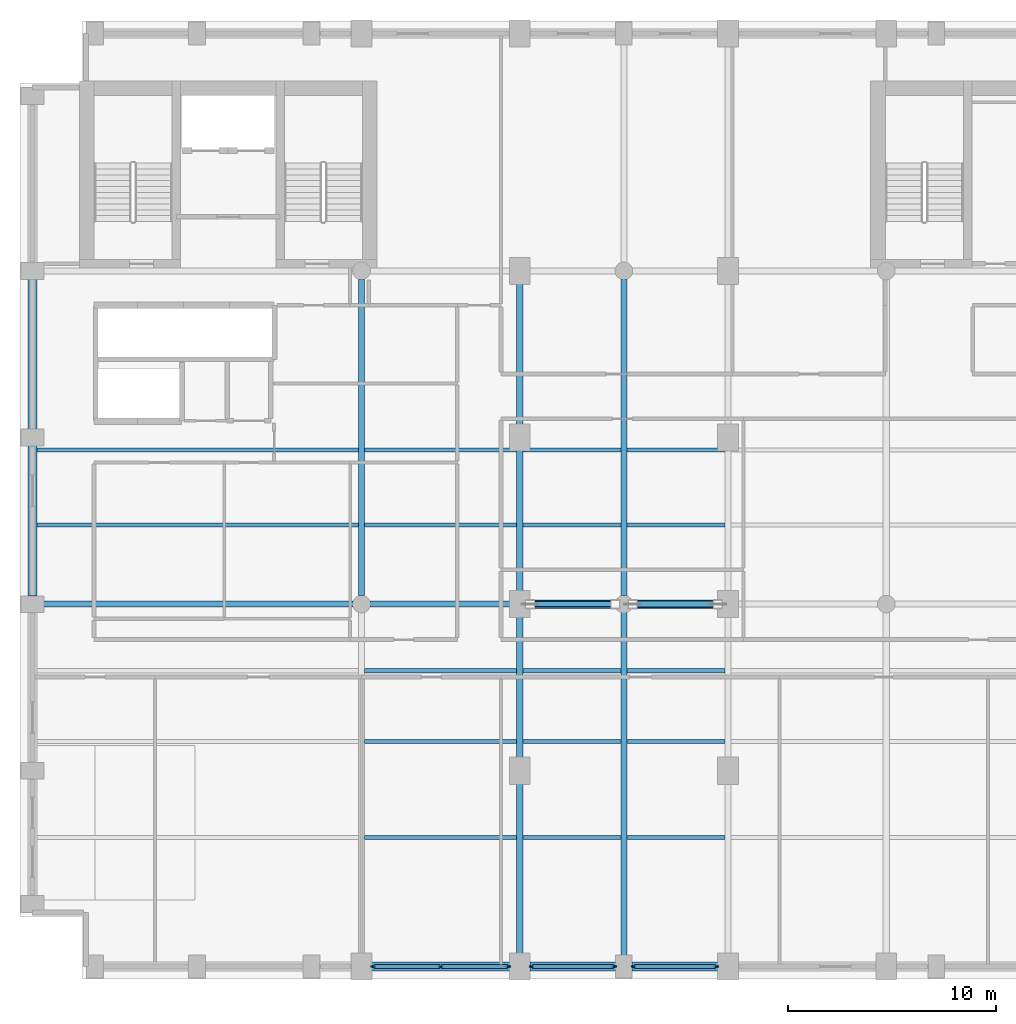
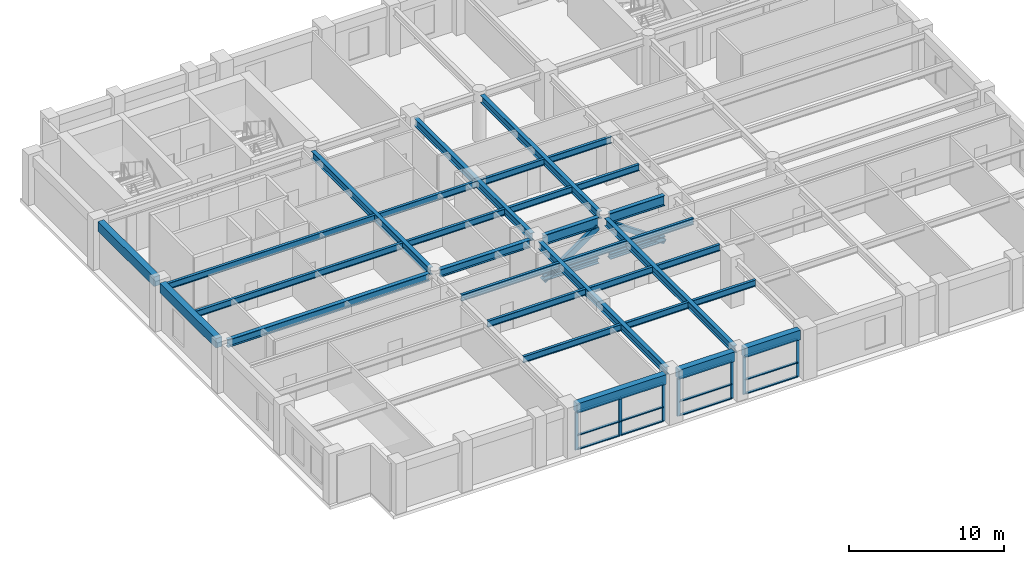
# One storey, part 2 of 13: 31 beams, 23 members, 3 elements without a shape of their own.
"""IFC4 building model written with IfcOpenShell, lengths in metres."""

from ifc_helpers import new_model, si_unit, direction, frame, origin, origin_2d, place, context, subcontext, project, spatial, rectangle, hollow_rectangle, i_section, extrude, material, layer, layer_set, material_profile, profile_set, type_object, element, aggregate, save


model = new_model("IFC4")

# Units and contexts
model_context = context("Model", 3, precision=1e-05, world=origin(), true_north=direction((0.0, 1.0)))
body_context = subcontext(model_context, "Body", "Model", "MODEL_VIEW")
ifc_project = project(units=[si_unit("LENGTHUNIT", "METRE"), si_unit("AREAUNIT", "SQUARE_METRE"), si_unit("VOLUMEUNIT", "CUBIC_METRE"), si_unit("PLANEANGLEUNIT", "RADIAN"), si_unit("MASSUNIT", "GRAM", prefix="KILO")], contexts=[model_context])

# Site, building, storey
site_placement = place(None, origin())
site = spatial("IfcSite", under=ifc_project, at=site_placement, CompositionType="ELEMENT")
building_placement = place(site_placement, origin())
building = spatial("IfcBuilding", under=site, at=building_placement, Name="Sulina Concourse Tower", CompositionType="ELEMENT")
storey_placement = place(building_placement, frame((0.0, 0.0, 202.60009765625)))
storey = spatial("IfcBuildingStorey", under=building, at=storey_placement, Name="L49", CompositionType="ELEMENT", Elevation=202.60009765625)

# Beams
ifc_material_1 = material(Name="Steel S355", Category="steel")
ifc_material_profile_1 = material_profile(ifc_material_1, i_section(OverallWidth=0.199951171875, OverallDepth=0.5, WebThickness=0.01025390625, FlangeThickness=0.01611328125, at=origin_2d()), Name="IPE 500")
ifc_profile_set_1 = profile_set([ifc_material_profile_1], Name="Steel S355")
beam_type_1 = type_object("IfcBeamType", Name="Composite Floor Joist IPE500", PredefinedType="JOIST", material=ifc_profile_set_1)
beam_1_placement = place(storey_placement, frame((16.550048828125, 6.800048828125, 3.5), z_axis=(1.0, 0.0, 0.0), x_axis=(0.0, 1.0, 0.0)))
element("IfcBeam", 1, at=beam_1_placement, inside=storey, type_object=beam_type_1, Name="FJ-J06-2-L49", PredefinedType="JOIST", context=body_context, shape_type="SweptSolid", body=[
    extrude(i_section(OverallWidth=0.199951171875, OverallDepth=0.5, WebThickness=0.01025390625, FlangeThickness=0.01611328125, at=origin_2d()), origin(), (0.0, 0.0, 1.0), 7.300048828125),
])
for number, where, z_axis, x_axis, name in (
    (2, (24.14990234375, 6.800048828125, 3.5), (1.0, 0.0, 0.0), (0.0, 1.0, 0.0), "FJ-J06-3-L49"),
    (3, (29.14990234375, 6.800048828125, 3.5), (1.0, 0.0, 0.0), (0.0, 1.0, 0.0), "FJ-J06-4-L49"),
):
    element("IfcBeam", number, at=place(storey_placement, frame(where, z_axis=z_axis, x_axis=x_axis)), inside=storey, type_object=beam_type_1, Name=name, PredefinedType="JOIST", context=body_context, shape_type="SweptSolid", body=[
        extrude(i_section(OverallWidth=0.199951171875, OverallDepth=0.5, WebThickness=0.01025390625, FlangeThickness=0.01611328125, at=origin_2d()), origin(), (0.0, 0.0, 1.0), 4.7001953125),
    ])
beam_2_placement = place(storey_placement, frame((16.550048828125, 11.39990234375, 3.5), z_axis=(1.0, 0.0, 0.0), x_axis=(0.0, 1.0, 0.0)))
element("IfcBeam", 4, at=beam_2_placement, inside=storey, type_object=beam_type_1, Name="FJ-J11-2-L49", PredefinedType="JOIST", context=body_context, shape_type="SweptSolid", body=[
    extrude(i_section(OverallWidth=0.199951171875, OverallDepth=0.5, WebThickness=0.01025390625, FlangeThickness=0.01611328125, at=origin_2d()), origin(), (0.0, 0.0, 1.0), 7.300048828125),
])
for number, where, z_axis, x_axis, name in (
    (5, (24.14990234375, 11.39990234375, 3.5), (1.0, 0.0, 0.0), (0.0, 1.0, 0.0), "FJ-J11-3-L49"),
    (6, (29.14990234375, 11.39990234375, 3.5), (1.0, 0.0, 0.0), (0.0, 1.0, 0.0), "FJ-J11-4-L49"),
):
    element("IfcBeam", number, at=place(storey_placement, frame(where, z_axis=z_axis, x_axis=x_axis)), inside=storey, type_object=beam_type_1, Name=name, PredefinedType="JOIST", context=body_context, shape_type="SweptSolid", body=[
        extrude(i_section(OverallWidth=0.199951171875, OverallDepth=0.5, WebThickness=0.01025390625, FlangeThickness=0.01611328125, at=origin_2d()), origin(), (0.0, 0.0, 1.0), 4.7001953125),
    ])
beam_3_placement = place(storey_placement, frame((16.550048828125, 14.800048828125, 3.5), z_axis=(1.0, 0.0, 0.0), x_axis=(0.0, 1.0, 0.0)))
element("IfcBeam", 7, at=beam_3_placement, inside=storey, type_object=beam_type_1, Name="FJ-J15-2-L49", PredefinedType="JOIST", context=body_context, shape_type="SweptSolid", body=[
    extrude(i_section(OverallWidth=0.199951171875, OverallDepth=0.5, WebThickness=0.01025390625, FlangeThickness=0.01611328125, at=origin_2d()), origin(), (0.0, 0.0, 1.0), 7.300048828125),
])
for number, where, z_axis, x_axis, name in (
    (8, (24.14990234375, 14.800048828125, 3.5), (1.0, 0.0, 0.0), (0.0, 1.0, 0.0), "FJ-J15-3-L49"),
    (9, (29.14990234375, 14.800048828125, 3.5), (1.0, 0.0, 0.0), (0.0, 1.0, 0.0), "FJ-J15-4-L49"),
):
    element("IfcBeam", number, at=place(storey_placement, frame(where, z_axis=z_axis, x_axis=x_axis)), inside=storey, type_object=beam_type_1, Name=name, PredefinedType="JOIST", context=body_context, shape_type="SweptSolid", body=[
        extrude(i_section(OverallWidth=0.199951171875, OverallDepth=0.5, WebThickness=0.01025390625, FlangeThickness=0.01611328125, at=origin_2d()), origin(), (0.0, 0.0, 1.0), 4.7001953125),
    ])
beam_4_placement = place(storey_placement, frame((0.824951171875, 21.800048828125, 3.5), z_axis=(1.0, 0.0, 0.0), x_axis=(0.0, 1.0, 0.0)))
element("IfcBeam", 10, at=beam_4_placement, inside=storey, type_object=beam_type_1, Name="FJ-J22-1-L49", PredefinedType="JOIST", context=body_context, shape_type="SweptSolid", body=[
    extrude(i_section(OverallWidth=0.199951171875, OverallDepth=0.5, WebThickness=0.01025390625, FlangeThickness=0.01611328125, at=origin_2d()), origin(), (0.0, 0.0, 1.0), 15.425048828125),
])
beam_5_placement = place(storey_placement, frame((16.550048828125, 21.800048828125, 3.5), z_axis=(1.0, 0.0, 0.0), x_axis=(0.0, 1.0, 0.0)))
element("IfcBeam", 11, at=beam_5_placement, inside=storey, type_object=beam_type_1, Name="FJ-J22-2-L49", PredefinedType="JOIST", context=body_context, shape_type="SweptSolid", body=[
    extrude(i_section(OverallWidth=0.199951171875, OverallDepth=0.5, WebThickness=0.01025390625, FlangeThickness=0.01611328125, at=origin_2d()), origin(), (0.0, 0.0, 1.0), 7.300048828125),
])
for number, where, z_axis, x_axis, name in (
    (12, (24.14990234375, 21.800048828125, 3.5), (1.0, 0.0, 0.0), (0.0, 1.0, 0.0), "FJ-J22-3-L49"),
    (13, (29.14990234375, 21.800048828125, 3.5), (1.0, 0.0, 0.0), (0.0, 1.0, 0.0), "FJ-J22-4-L49"),
):
    element("IfcBeam", number, at=place(storey_placement, frame(where, z_axis=z_axis, x_axis=x_axis)), inside=storey, type_object=beam_type_1, Name=name, PredefinedType="JOIST", context=body_context, shape_type="SweptSolid", body=[
        extrude(i_section(OverallWidth=0.199951171875, OverallDepth=0.5, WebThickness=0.01025390625, FlangeThickness=0.01611328125, at=origin_2d()), origin(), (0.0, 0.0, 1.0), 4.7001953125),
    ])
beam_6_placement = place(storey_placement, frame((0.824951171875, 25.39990234375, 3.5), z_axis=(1.0, 0.0, 0.0), x_axis=(0.0, 1.0, 0.0)))
element("IfcBeam", 14, at=beam_6_placement, inside=storey, type_object=beam_type_1, Name="FJ-J25-1-L49", PredefinedType="JOIST", context=body_context, shape_type="SweptSolid", body=[
    extrude(i_section(OverallWidth=0.199951171875, OverallDepth=0.5, WebThickness=0.01025390625, FlangeThickness=0.01611328125, at=origin_2d()), origin(), (0.0, 0.0, 1.0), 15.425048828125),
])
beam_7_placement = place(storey_placement, frame((16.550048828125, 25.39990234375, 3.5), z_axis=(1.0, 0.0, 0.0), x_axis=(0.0, 1.0, 0.0)))
element("IfcBeam", 15, at=beam_7_placement, inside=storey, type_object=beam_type_1, Name="FJ-J25-2-L49", PredefinedType="JOIST", context=body_context, shape_type="SweptSolid", body=[
    extrude(i_section(OverallWidth=0.199951171875, OverallDepth=0.5, WebThickness=0.01025390625, FlangeThickness=0.01611328125, at=origin_2d()), origin(), (0.0, 0.0, 1.0), 7.300048828125),
])
for number, where, z_axis, x_axis, name in (
    (16, (24.14990234375, 25.39990234375, 3.5), (1.0, 0.0, 0.0), (0.0, 1.0, 0.0), "FJ-J25-3-L49"),
    (17, (29.14990234375, 25.39990234375, 3.5), (1.0, 0.0, 0.0), (0.0, 1.0, 0.0), "FJ-J25-4-L49"),
):
    element("IfcBeam", number, at=place(storey_placement, frame(where, z_axis=z_axis, x_axis=x_axis)), inside=storey, type_object=beam_type_1, Name=name, PredefinedType="JOIST", context=body_context, shape_type="SweptSolid", body=[
        extrude(i_section(OverallWidth=0.199951171875, OverallDepth=0.5, WebThickness=0.01025390625, FlangeThickness=0.01611328125, at=origin_2d()), origin(), (0.0, 0.0, 1.0), 4.7001953125),
    ])
ifc_material_2 = material(Name="Steel S355", Category="steel")
ifc_material_profile_2 = material_profile(ifc_material_2, i_section(OverallWidth=0.300048828125, OverallDepth=0.60009765625, WebThickness=0.015380859375, FlangeThickness=0.030029296875, at=origin_2d()), Name="HE 600 B")
ifc_profile_set_2 = profile_set([ifc_material_profile_2], Name="Steel S355")
beam_type_2 = type_object("IfcBeamType", Name="Floor Primary Girder Zone 3 HE600B", PredefinedType="BEAM", material=ifc_profile_set_2)
beam_8_placement = place(storey_placement, frame((0.97998046875, 18.0, 3.449951171875), z_axis=(1.0, 0.0, 0.0), x_axis=(0.0, 1.0, 0.0)))
element("IfcBeam", 18, at=beam_8_placement, inside=storey, type_object=beam_type_2, Name="FG-EW1-L49", PredefinedType="BEAM", context=body_context, shape_type="SweptSolid", body=[
    extrude(i_section(OverallWidth=0.300048828125, OverallDepth=0.60009765625, WebThickness=0.015380859375, FlangeThickness=0.030029296875, at=origin_2d()), origin(), (0.0, 0.0, 1.0), 15.01513671875),
])
beam_9_placement = place(storey_placement, frame((16.804931640625, 18.0, 3.449951171875), z_axis=(1.0, 0.0, 0.0), x_axis=(0.0, 1.0, 0.0)))
element("IfcBeam", 19, at=beam_9_placement, inside=storey, type_object=beam_type_2, Name="FG-EW2-L49", PredefinedType="BEAM", context=body_context, shape_type="SweptSolid", body=[
    extrude(i_section(OverallWidth=0.300048828125, OverallDepth=0.60009765625, WebThickness=0.015380859375, FlangeThickness=0.030029296875, at=origin_2d()), origin(), (0.0, 0.0, 1.0), 6.715087890625),
])
beam_10_placement = place(storey_placement, frame((16.39990234375, 18.405029296875, 3.449951171875), z_axis=(0.0, 1.0, 0.0), x_axis=(-1.0, 0.0, 0.0)))
element("IfcBeam", 20, at=beam_10_placement, inside=storey, type_object=beam_type_2, Name="FG-NSB-16-L49", PredefinedType="BEAM", context=body_context, shape_type="SweptSolid", body=[
    extrude(i_section(OverallWidth=0.300048828125, OverallDepth=0.60009765625, WebThickness=0.015380859375, FlangeThickness=0.030029296875, at=origin_2d()), origin(), (0.0, 0.0, 1.0), 15.18994140625),
])
beam_11_placement = place(storey_placement, frame((24.0, 1.080078125, 3.449951171875), z_axis=(0.0, 1.0, 0.0), x_axis=(-1.0, 0.0, 0.0)))
element("IfcBeam", 21, at=beam_11_placement, inside=storey, type_object=beam_type_2, Name="FG-NSA-24-L49", PredefinedType="BEAM", context=body_context, shape_type="SweptSolid", body=[
    extrude(i_section(OverallWidth=0.300048828125, OverallDepth=0.60009765625, WebThickness=0.015380859375, FlangeThickness=0.030029296875, at=origin_2d()), origin(), (0.0, 0.0, 1.0), 16.43994140625),
])
beam_12_placement = place(storey_placement, frame((24.0, 18.47998046875, 3.449951171875), z_axis=(0.0, 1.0, 0.0), x_axis=(-1.0, 0.0, 0.0)))
element("IfcBeam", 22, at=beam_12_placement, inside=storey, type_object=beam_type_2, Name="FG-NSB-24-L49", PredefinedType="BEAM", context=body_context, shape_type="SweptSolid", body=[
    extrude(i_section(OverallWidth=0.300048828125, OverallDepth=0.60009765625, WebThickness=0.015380859375, FlangeThickness=0.030029296875, at=origin_2d()), origin(), (0.0, 0.0, 1.0), 15.0400390625),
])
beam_13_placement = place(storey_placement, frame((29.0, 0.97998046875, 3.449951171875), z_axis=(0.0, 1.0, 0.0), x_axis=(-1.0, 0.0, 0.0)))
element("IfcBeam", 23, at=beam_13_placement, inside=storey, type_object=beam_type_2, Name="FG-NSA-29-L49", PredefinedType="BEAM", context=body_context, shape_type="SweptSolid", body=[
    extrude(i_section(OverallWidth=0.300048828125, OverallDepth=0.60009765625, WebThickness=0.015380859375, FlangeThickness=0.030029296875, at=origin_2d()), origin(), (0.0, 0.0, 1.0), 16.614990234375),
])
beam_14_placement = place(storey_placement, frame((29.0, 18.405029296875, 3.449951171875), z_axis=(0.0, 1.0, 0.0), x_axis=(-1.0, 0.0, 0.0)))
element("IfcBeam", 24, at=beam_14_placement, inside=storey, type_object=beam_type_2, Name="FG-NSB-29-L49", PredefinedType="BEAM", context=body_context, shape_type="SweptSolid", body=[
    extrude(i_section(OverallWidth=0.300048828125, OverallDepth=0.60009765625, WebThickness=0.015380859375, FlangeThickness=0.030029296875, at=origin_2d()), origin(), (0.0, 0.0, 1.0), 15.18994140625),
])

# Members
ifc_material_3 = material(Name="Steel S355", Category="steel")
ifc_material_profile_3 = material_profile(ifc_material_3, i_section(OverallWidth=0.406005859375, OverallDepth=0.425048828125, WebThickness=0.034912109375, FlangeThickness=0.055908203125, at=origin_2d()), Name="HD 400x421")
ifc_profile_set_3 = profile_set([ifc_material_profile_3], Name="Steel S355")
member_type_1 = type_object("IfcMemberType", Name="Upper Bridge & Belt Truss Chord HD400x421", PredefinedType="CHORD", material=ifc_profile_set_3)
for number, where, z_axis, x_axis, name in (
    (25, (24.489990234375, 18.0, 0.369873046875), (1.0, 0.0, 0.0), (0.0, 1.0, 0.0), "UBT-CH-1-L49"),
    (26, (29.4150390625, 18.0, 0.369873046875), (1.0, 0.0, 0.0), (0.0, 1.0, 0.0), "UBT-CH-2-L49"),
):
    element("IfcMember", number, at=place(storey_placement, frame(where, z_axis=z_axis, x_axis=x_axis)), inside=storey, type_object=member_type_1, Name=name, PredefinedType="CHORD", context=body_context, shape_type="SweptSolid", body=[
        extrude(i_section(OverallWidth=0.406005859375, OverallDepth=0.425048828125, WebThickness=0.034912109375, FlangeThickness=0.055908203125, at=origin_2d()), origin(), (0.0, 0.0, 1.0), 4.094970703125),
    ])

# Beams
ifc_material_4 = material(Name="Precast concrete C50/60", Category="concrete")
ifc_material_profile_4 = material_profile(ifc_material_4, rectangle(XDim=0.449951171875, YDim=0.75, at=origin_2d()), Name="RC 450x750")
ifc_profile_set_4 = profile_set([ifc_material_profile_4], Name="Precast concrete C50/60")
beam_type_3 = type_object("IfcBeamType", Name="Upper Precast Spandrel Edge Beam 450x750", PredefinedType="BEAM", material=ifc_profile_set_4)
beam_15_placement = place(storey_placement, frame((16.8798828125, 0.60009765625, 3.375), z_axis=(1.0, 0.0, 0.0), x_axis=(0.0, 1.0, 0.0)))
element("IfcBeam", 27, at=beam_15_placement, inside=storey, type_object=beam_type_3, Name="SP-S4-L49", PredefinedType="BEAM", context=body_context, shape_type="SweptSolid", body=[
    extrude(rectangle(XDim=0.449951171875, YDim=0.75, at=origin_2d()), origin(), (0.0, 0.0, 1.0), 6.64013671875),
])
for number, where, z_axis, x_axis, name in (
    (28, (24.47998046875, 0.60009765625, 3.375), (1.0, 0.0, 0.0), (0.0, 1.0, 0.0), "SP-S5-L49"),
    (29, (29.3798828125, 0.60009765625, 3.375), (1.0, 0.0, 0.0), (0.0, 1.0, 0.0), "SP-S6-L49"),
):
    element("IfcBeam", number, at=place(storey_placement, frame(where, z_axis=z_axis, x_axis=x_axis)), inside=storey, type_object=beam_type_3, Name=name, PredefinedType="BEAM", context=body_context, shape_type="SweptSolid", body=[
        extrude(rectangle(XDim=0.449951171875, YDim=0.75, at=origin_2d()), origin(), (0.0, 0.0, 1.0), 4.14013671875),
    ])
for number, where, z_axis, x_axis, name in (
    (30, (0.60009765625, 18.3798828125, 3.375), (0.0, 1.0, 0.0), (-1.0, 0.0, 0.0), "SP-W3-L49"),
    (31, (0.60009765625, 26.3798828125, 3.375), (0.0, 1.0, 0.0), (-1.0, 0.0, 0.0), "SP-W4-L49"),
):
    element("IfcBeam", number, at=place(storey_placement, frame(where, z_axis=z_axis, x_axis=x_axis)), inside=storey, type_object=beam_type_3, Name=name, PredefinedType="BEAM", context=body_context, shape_type="SweptSolid", body=[
        extrude(rectangle(XDim=0.449951171875, YDim=0.75, at=origin_2d()), origin(), (0.0, 0.0, 1.0), 7.240234375),
    ])
ifc_material_5 = material(Name="Steel S355", Category="steel")
ifc_material_profile_5 = material_profile(ifc_material_5, i_section(OverallWidth=0.300048828125, OverallDepth=0.800048828125, WebThickness=0.017578125, FlangeThickness=0.032958984375, at=origin_2d()), Name="HE 800 B")
ifc_profile_set_5 = profile_set([ifc_material_profile_5], Name="Steel S355")
beam_type_4 = type_object("IfcBeamType", Name="Upper Wind-Portal Bridge Girder HE800B", PredefinedType="BEAM", material=ifc_profile_set_5)
for number, where, z_axis, x_axis, name in (
    (32, (24.47998046875, 18.0, 3.349853515625), (1.0, 0.0, 0.0), (0.0, 1.0, 0.0), "FG-EW3-L49"),
    (33, (29.405029296875, 18.0, 3.349853515625), (1.0, 0.0, 0.0), (0.0, 1.0, 0.0), "FG-EW4-L49"),
):
    element("IfcBeam", number, at=place(storey_placement, frame(where, z_axis=z_axis, x_axis=x_axis)), inside=storey, type_object=beam_type_4, Name=name, PredefinedType="BEAM", context=body_context, shape_type="SweptSolid", body=[
        extrude(i_section(OverallWidth=0.300048828125, OverallDepth=0.800048828125, WebThickness=0.017578125, FlangeThickness=0.032958984375, at=origin_2d()), origin(), (0.0, 0.0, 1.0), 4.114990234375),
    ])

# Curtain wall, members
ifc_material_6 = material(Name="Aluminium 6063-T6", Category="aluminium")
ifc_layer = layer(ifc_material_6, 0.25)
ifc_layer_set = layer_set([ifc_layer], Name="Aluminium 6063-T6")
curtain_wall_type = type_object("IfcCurtainWallType", Name="Upper Wind-Portal Curtain Wall System", PredefinedType="NOTDEFINED", material=ifc_layer_set)
curtain_wall_1_placement = place(storey_placement, origin())
curtain_wall_1 = element("IfcCurtainWall", 34, at=curtain_wall_1_placement, inside=storey, type_object=curtain_wall_type, Name="L49 glazed curtain wall S4", PredefinedType="NOTDEFINED")
ifc_material_7 = material(Name="Aluminium 6063-T6", Category="aluminium")
ifc_material_profile_6 = material_profile(ifc_material_7, rectangle(XDim=0.080078125, YDim=0.22998046875, at=origin_2d()), Name="MUL 80x230")
ifc_profile_set_6 = profile_set([ifc_material_profile_6], Name="Aluminium 6063-T6")
member_type_2 = type_object("IfcMemberType", Name="Upper Wind-Portal Curtain Wall System Mullion 80x230", PredefinedType="MULLION", material=ifc_profile_set_6)
member_1_placement = place(storey_placement, frame((23.43994140625, 0.60009765625, 0.0), z_axis=(0.0, 0.0, 1.0), x_axis=(0.0, -1.0, 0.0)))
member_1 = element("IfcMember", 35, at=member_1_placement, type_object=member_type_2, Name="CW-04 mullion 1", PredefinedType="MULLION", context=body_context, shape_type="SweptSolid", body=[
    extrude(rectangle(XDim=0.080078125, YDim=0.22998046875, at=origin_2d()), origin(), (0.0, 0.0, 1.0), 3.0),
])
member_2_placement = place(storey_placement, frame((20.199951171875, 0.60009765625, 0.0), z_axis=(0.0, 0.0, 1.0), x_axis=(0.0, -1.0, 0.0)))
member_2 = element("IfcMember", 36, at=member_2_placement, type_object=member_type_2, Name="CW-04 mullion 2", PredefinedType="MULLION", context=body_context, shape_type="SweptSolid", body=[
    extrude(rectangle(XDim=0.080078125, YDim=0.22998046875, at=origin_2d()), origin(), (0.0, 0.0, 1.0), 3.0),
])
member_3_placement = place(storey_placement, frame((16.9599609375, 0.60009765625, 0.0), z_axis=(0.0, 0.0, 1.0), x_axis=(0.0, -1.0, 0.0)))
member_3 = element("IfcMember", 37, at=member_3_placement, type_object=member_type_2, Name="CW-04 mullion 3", PredefinedType="MULLION", context=body_context, shape_type="SweptSolid", body=[
    extrude(rectangle(XDim=0.080078125, YDim=0.22998046875, at=origin_2d()), origin(), (0.0, 0.0, 1.0), 3.0),
])

curtain_wall_2_placement = place(storey_placement, origin())
curtain_wall_2 = element("IfcCurtainWall", 38, at=curtain_wall_2_placement, inside=storey, type_object=curtain_wall_type, Name="L49 glazed curtain wall S5", PredefinedType="NOTDEFINED")
member_4_placement = place(storey_placement, frame((28.5400390625, 0.60009765625, 0.0), z_axis=(0.0, 0.0, 1.0), x_axis=(0.0, -1.0, 0.0)))
member_4 = element("IfcMember", 39, at=member_4_placement, type_object=member_type_2, Name="CW-04 mullion 1", PredefinedType="MULLION", context=body_context, shape_type="SweptSolid", body=[
    extrude(rectangle(XDim=0.080078125, YDim=0.22998046875, at=origin_2d()), origin(), (0.0, 0.0, 1.0), 3.0),
])
member_5_placement = place(storey_placement, frame((24.56005859375, 0.60009765625, 0.0), z_axis=(0.0, 0.0, 1.0), x_axis=(0.0, -1.0, 0.0)))
member_5 = element("IfcMember", 40, at=member_5_placement, type_object=member_type_2, Name="CW-04 mullion 2", PredefinedType="MULLION", context=body_context, shape_type="SweptSolid", body=[
    extrude(rectangle(XDim=0.080078125, YDim=0.22998046875, at=origin_2d()), origin(), (0.0, 0.0, 1.0), 3.0),
])

curtain_wall_3_placement = place(storey_placement, origin())
curtain_wall_3 = element("IfcCurtainWall", 41, at=curtain_wall_3_placement, inside=storey, type_object=curtain_wall_type, Name="L49 glazed curtain wall S6", PredefinedType="NOTDEFINED")
member_6_placement = place(storey_placement, frame((33.43994140625, 0.60009765625, 0.0), z_axis=(0.0, 0.0, 1.0), x_axis=(0.0, -1.0, 0.0)))
member_6 = element("IfcMember", 42, at=member_6_placement, type_object=member_type_2, Name="CW-04 mullion 1", PredefinedType="MULLION", context=body_context, shape_type="SweptSolid", body=[
    extrude(rectangle(XDim=0.080078125, YDim=0.22998046875, at=origin_2d()), origin(), (0.0, 0.0, 1.0), 3.0),
])
member_7_placement = place(storey_placement, frame((29.4599609375, 0.60009765625, 0.0), z_axis=(0.0, 0.0, 1.0), x_axis=(0.0, -1.0, 0.0)))
member_7 = element("IfcMember", 43, at=member_7_placement, type_object=member_type_2, Name="CW-04 mullion 2", PredefinedType="MULLION", context=body_context, shape_type="SweptSolid", body=[
    extrude(rectangle(XDim=0.080078125, YDim=0.22998046875, at=origin_2d()), origin(), (0.0, 0.0, 1.0), 3.0),
])

# Member
ifc_material_8 = material(Name="Aluminium 6063-T6", Category="aluminium")
ifc_material_profile_7 = material_profile(ifc_material_8, rectangle(XDim=0.18505859375, YDim=0.074951171875, at=origin_2d()), Name="TRN 75x185")
ifc_profile_set_7 = profile_set([ifc_material_profile_7], Name="Aluminium 6063-T6")
member_type_3 = type_object("IfcMemberType", Name="Upper Wind-Portal Curtain Wall System Transom 75x185", PredefinedType="USERDEFINED", material=ifc_profile_set_7)
member_8_placement = place(storey_placement, frame((23.39990234375, 0.60009765625, 0.037353515625), z_axis=(-1.0, 0.0, 0.0), x_axis=(0.0, -1.0, 0.0)))
member_8 = element("IfcMember", 44, at=member_8_placement, type_object=member_type_3, Name="CW-04 transom 1.1", ObjectType="TRANSOM", PredefinedType="USERDEFINED", context=body_context, shape_type="SweptSolid", body=[
    extrude(rectangle(XDim=0.18505859375, YDim=0.074951171875, at=origin_2d()), origin(), (0.0, 0.0, 1.0), 3.159912109375),
])

member_9_placement = place(storey_placement, frame((23.39990234375, 0.60009765625, 1.139892578125), z_axis=(-1.0, 0.0, 0.0), x_axis=(0.0, -1.0, 0.0)))
member_9 = element("IfcMember", 45, at=member_9_placement, type_object=member_type_3, Name="CW-04 transom 1.2", ObjectType="TRANSOM", PredefinedType="USERDEFINED", context=body_context, shape_type="SweptSolid", body=[
    extrude(rectangle(XDim=0.18505859375, YDim=0.074951171875, at=origin_2d()), origin(), (0.0, 0.0, 1.0), 3.159912109375),
])

member_10_placement = place(storey_placement, frame((23.39990234375, 0.60009765625, 2.96240234375), z_axis=(-1.0, 0.0, 0.0), x_axis=(0.0, -1.0, 0.0)))
member_10 = element("IfcMember", 46, at=member_10_placement, type_object=member_type_3, Name="CW-04 transom 1.3", ObjectType="TRANSOM", PredefinedType="USERDEFINED", context=body_context, shape_type="SweptSolid", body=[
    extrude(rectangle(XDim=0.18505859375, YDim=0.074951171875, at=origin_2d()), origin(), (0.0, 0.0, 1.0), 3.159912109375),
])

member_11_placement = place(storey_placement, frame((20.159912109375, 0.60009765625, 0.037353515625), z_axis=(-1.0, 0.0, 0.0), x_axis=(0.0, -1.0, 0.0)))
member_11 = element("IfcMember", 47, at=member_11_placement, type_object=member_type_3, Name="CW-04 transom 2.1", ObjectType="TRANSOM", PredefinedType="USERDEFINED", context=body_context, shape_type="SweptSolid", body=[
    extrude(rectangle(XDim=0.18505859375, YDim=0.074951171875, at=origin_2d()), origin(), (0.0, 0.0, 1.0), 3.159912109375),
])

member_12_placement = place(storey_placement, frame((20.159912109375, 0.60009765625, 1.139892578125), z_axis=(-1.0, 0.0, 0.0), x_axis=(0.0, -1.0, 0.0)))
member_12 = element("IfcMember", 48, at=member_12_placement, type_object=member_type_3, Name="CW-04 transom 2.2", ObjectType="TRANSOM", PredefinedType="USERDEFINED", context=body_context, shape_type="SweptSolid", body=[
    extrude(rectangle(XDim=0.18505859375, YDim=0.074951171875, at=origin_2d()), origin(), (0.0, 0.0, 1.0), 3.159912109375),
])

member_13_placement = place(storey_placement, frame((20.159912109375, 0.60009765625, 2.96240234375), z_axis=(-1.0, 0.0, 0.0), x_axis=(0.0, -1.0, 0.0)))
member_13 = element("IfcMember", 49, at=member_13_placement, type_object=member_type_3, Name="CW-04 transom 2.3", ObjectType="TRANSOM", PredefinedType="USERDEFINED", context=body_context, shape_type="SweptSolid", body=[
    extrude(rectangle(XDim=0.18505859375, YDim=0.074951171875, at=origin_2d()), origin(), (0.0, 0.0, 1.0), 3.159912109375),
])

aggregate(curtain_wall_1, [member_1, member_2, member_3, member_8, member_9, member_10, member_11, member_12, member_13])

member_14_placement = place(storey_placement, frame((28.5, 0.60009765625, 0.037353515625), z_axis=(-1.0, 0.0, 0.0), x_axis=(0.0, -1.0, 0.0)))
member_14 = element("IfcMember", 50, at=member_14_placement, type_object=member_type_3, Name="CW-04 transom 1.1", ObjectType="TRANSOM", PredefinedType="USERDEFINED", context=body_context, shape_type="SweptSolid", body=[
    extrude(rectangle(XDim=0.18505859375, YDim=0.074951171875, at=origin_2d()), origin(), (0.0, 0.0, 1.0), 3.89990234375),
])

member_15_placement = place(storey_placement, frame((28.5, 0.60009765625, 1.139892578125), z_axis=(-1.0, 0.0, 0.0), x_axis=(0.0, -1.0, 0.0)))
member_15 = element("IfcMember", 51, at=member_15_placement, type_object=member_type_3, Name="CW-04 transom 1.2", ObjectType="TRANSOM", PredefinedType="USERDEFINED", context=body_context, shape_type="SweptSolid", body=[
    extrude(rectangle(XDim=0.18505859375, YDim=0.074951171875, at=origin_2d()), origin(), (0.0, 0.0, 1.0), 3.89990234375),
])

member_16_placement = place(storey_placement, frame((28.5, 0.60009765625, 2.96240234375), z_axis=(-1.0, 0.0, 0.0), x_axis=(0.0, -1.0, 0.0)))
member_16 = element("IfcMember", 52, at=member_16_placement, type_object=member_type_3, Name="CW-04 transom 1.3", ObjectType="TRANSOM", PredefinedType="USERDEFINED", context=body_context, shape_type="SweptSolid", body=[
    extrude(rectangle(XDim=0.18505859375, YDim=0.074951171875, at=origin_2d()), origin(), (0.0, 0.0, 1.0), 3.89990234375),
])

aggregate(curtain_wall_2, [member_4, member_5, member_14, member_15, member_16])

member_17_placement = place(storey_placement, frame((33.39990234375, 0.60009765625, 0.037353515625), z_axis=(-1.0, 0.0, 0.0), x_axis=(0.0, -1.0, 0.0)))
member_17 = element("IfcMember", 53, at=member_17_placement, type_object=member_type_3, Name="CW-04 transom 1.1", ObjectType="TRANSOM", PredefinedType="USERDEFINED", context=body_context, shape_type="SweptSolid", body=[
    extrude(rectangle(XDim=0.18505859375, YDim=0.074951171875, at=origin_2d()), origin(), (0.0, 0.0, 1.0), 3.89990234375),
])

member_18_placement = place(storey_placement, frame((33.39990234375, 0.60009765625, 1.139892578125), z_axis=(-1.0, 0.0, 0.0), x_axis=(0.0, -1.0, 0.0)))
member_18 = element("IfcMember", 54, at=member_18_placement, type_object=member_type_3, Name="CW-04 transom 1.2", ObjectType="TRANSOM", PredefinedType="USERDEFINED", context=body_context, shape_type="SweptSolid", body=[
    extrude(rectangle(XDim=0.18505859375, YDim=0.074951171875, at=origin_2d()), origin(), (0.0, 0.0, 1.0), 3.89990234375),
])

member_19_placement = place(storey_placement, frame((33.39990234375, 0.60009765625, 2.96240234375), z_axis=(-1.0, 0.0, 0.0), x_axis=(0.0, -1.0, 0.0)))
member_19 = element("IfcMember", 55, at=member_19_placement, type_object=member_type_3, Name="CW-04 transom 1.3", ObjectType="TRANSOM", PredefinedType="USERDEFINED", context=body_context, shape_type="SweptSolid", body=[
    extrude(rectangle(XDim=0.18505859375, YDim=0.074951171875, at=origin_2d()), origin(), (0.0, 0.0, 1.0), 3.89990234375),
])

aggregate(curtain_wall_3, [member_6, member_7, member_17, member_18, member_19])

# Members
ifc_material_9 = material(Name="Steel S355", Category="steel")
ifc_material_profile_8 = material_profile(ifc_material_9, hollow_rectangle(XDim=0.25, YDim=0.449951171875, WallThickness=0.01611328125, at=origin_2d()), Name="RHS 450x250x16")
ifc_profile_set_8 = profile_set([ifc_material_profile_8], Name="Steel S355")
member_type_4 = type_object("IfcMemberType", Name="Upper Wind-Portal Diagonal RHS450x250x16", PredefinedType="BRACE", material=ifc_profile_set_8)
member_20_placement = place(storey_placement, frame((24.489990234375, 18.0, 0.119873046875), z_axis=(0.821712187876, 0.0, 0.569902693708), x_axis=(0.0, 1.0, 0.0)))
element("IfcMember", 56, at=member_20_placement, inside=storey, type_object=member_type_4, Name="UBT-DG-1-L49", PredefinedType="BRACE", context=body_context, shape_type="SweptSolid", body=[
    extrude(hollow_rectangle(XDim=0.25, YDim=0.449951171875, WallThickness=0.01611328125, at=origin_2d()), origin(), (0.0, 0.0, 1.0), 4.9833984375),
])
ifc_material_10 = material(Name="Steel S355", Category="steel")
ifc_material_profile_9 = material_profile(ifc_material_10, hollow_rectangle(XDim=0.35009765625, YDim=0.35009765625, WallThickness=0.01611328125, at=origin_2d()), Name="SHS 350x350x16")
ifc_profile_set_9 = profile_set([ifc_material_profile_9], Name="Steel S355")
member_type_5 = type_object("IfcMemberType", Name="Upper Wind-Portal Web Brace SHS350x350x16", PredefinedType="BRACE", material=ifc_profile_set_9)
member_21_placement = place(storey_placement, frame((33.510009765625, 18.0, 0.119873046875), z_axis=(-0.821712187876, 0.0, 0.569902693708), x_axis=(0.0, -1.0, 0.0)))
element("IfcMember", 57, at=member_21_placement, inside=storey, type_object=member_type_5, Name="UBT-DG-2-L49", PredefinedType="BRACE", context=body_context, shape_type="SweptSolid", body=[
    extrude(hollow_rectangle(XDim=0.35009765625, YDim=0.35009765625, WallThickness=0.01611328125, at=origin_2d()), origin(), (0.0, 0.0, 1.0), 4.9833984375),
])

save(model, "model.ifc")
